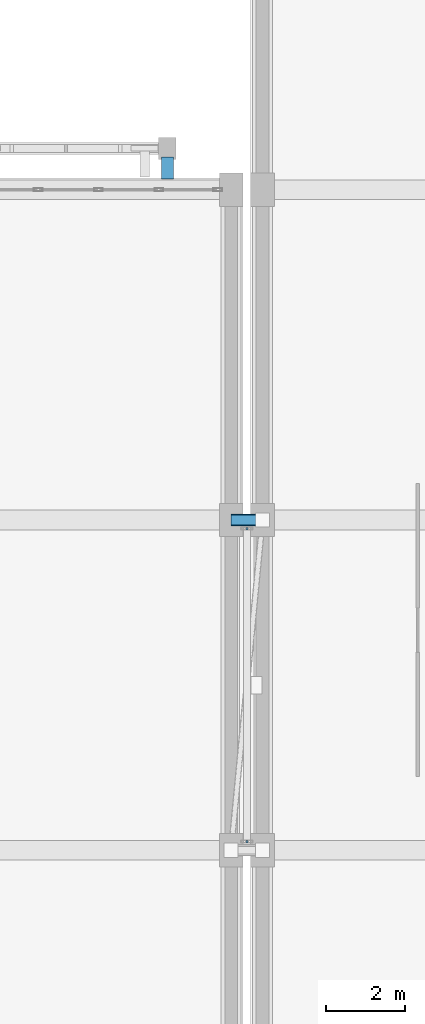
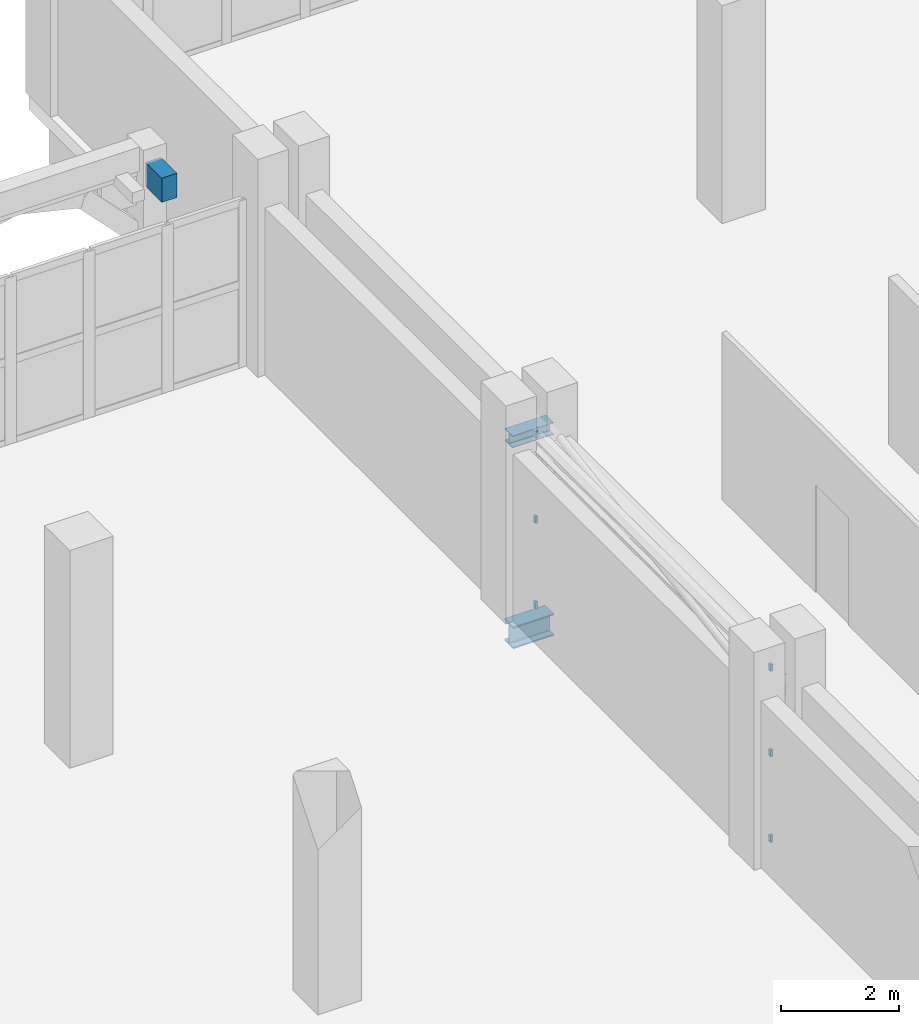
# One storey, part 83 of 137: 6 members, 3 beams, 2 elements without a shape of their own.
"""IFC4 building model written with IfcOpenShell, lengths in metres."""

from ifc_helpers import new_model, si_unit, direction, frame, origin, origin_2d, place, context, subcontext, project, spatial, rectangle, hollow_rectangle, i_section, extrude, material, layer, layer_set, material_profile, profile_set, type_object, element, aggregate, save


model = new_model("IFC4")

# Units and contexts
model_context = context("Model", 3, precision=1e-05, world=origin(), true_north=direction((0.0, 1.0)))
body_context = subcontext(model_context, "Body", "Model", "MODEL_VIEW")
ifc_project = project(units=[si_unit("LENGTHUNIT", "METRE"), si_unit("AREAUNIT", "SQUARE_METRE"), si_unit("VOLUMEUNIT", "CUBIC_METRE"), si_unit("PLANEANGLEUNIT", "RADIAN"), si_unit("MASSUNIT", "GRAM", prefix="KILO")], contexts=[model_context])

# Site, building, storey
site_placement = place(None, origin())
site = spatial("IfcSite", under=ifc_project, at=site_placement, CompositionType="ELEMENT")
building_placement = place(site_placement, origin())
building = spatial("IfcBuilding", under=site, at=building_placement, Name="Xazarin Passage Department Store", CompositionType="ELEMENT")
storey_placement = place(building_placement, frame((0.0, 0.0, 5.39990234375)))
storey = spatial("IfcBuildingStorey", under=building, at=storey_placement, Name="L01", CompositionType="ELEMENT", Elevation=5.39990234375)

# Curtain wall, members
ifc_material_1 = material(Name="Bronze anodised aluminium", Category="aluminium")
ifc_layer = layer(ifc_material_1, 0.14990234375)
ifc_layer_set = layer_set([ifc_layer], Name="Bronze anodised aluminium")
curtain_wall_type = type_object("IfcCurtainWallType", Name="ARC-CW-BRG1", PredefinedType="NOTDEFINED", material=ifc_layer_set)
curtain_wall_1_placement = place(storey_placement, origin())
curtain_wall_1 = element("IfcCurtainWall", 1, at=curtain_wall_1_placement, inside=storey, type_object=curtain_wall_type, Name="L01 BR-V1-V2N Bridge Curtain Wall 1", PredefinedType="NOTDEFINED")
ifc_material_profile_1 = material_profile(ifc_material_1, hollow_rectangle(XDim=0.06494140625, YDim=0.139892578125, WallThickness=0.00390625, at=origin_2d()), Name="ALU 65x140")
ifc_profile_set_1 = profile_set([ifc_material_profile_1], Name="Bronze anodised aluminium")
member_type = type_object("IfcMemberType", Name="ARC-CWT-65x140", PredefinedType="USERDEFINED", material=ifc_profile_set_1)
member_1_placement = place(storey_placement, frame((67.574951171875, 68.219970703125, 0.03271484375), z_axis=(1.0, 0.0, 0.0), x_axis=(0.0, 1.0, 0.0)))
member_1 = element("IfcMember", 2, at=member_1_placement, type_object=member_type, Name="CW7 transom 1.1", ObjectType="TRANSOM", PredefinedType="USERDEFINED", context=body_context, shape_type="SweptSolid", body=[
    extrude(hollow_rectangle(XDim=0.06494140625, YDim=0.139892578125, WallThickness=0.00390625, at=origin_2d()), origin(), (0.0, 0.0, 1.0), 0.050048828125),
])
member_2_placement = place(storey_placement, frame((67.574951171875, 68.219970703125, 1.800048828125), z_axis=(1.0, 0.0, 0.0), x_axis=(0.0, 1.0, 0.0)))
member_2 = element("IfcMember", 3, at=member_2_placement, type_object=member_type, Name="CW7 transom 1.2", ObjectType="TRANSOM", PredefinedType="USERDEFINED", context=body_context, shape_type="SweptSolid", body=[
    extrude(hollow_rectangle(XDim=0.06494140625, YDim=0.139892578125, WallThickness=0.00390625, at=origin_2d()), origin(), (0.0, 0.0, 1.0), 0.050048828125),
])
member_3_placement = place(storey_placement, frame((67.574951171875, 68.219970703125, 3.567626953125), z_axis=(1.0, 0.0, 0.0), x_axis=(0.0, 1.0, 0.0)))
member_3 = element("IfcMember", 4, at=member_3_placement, type_object=member_type, Name="CW7 transom 1.3", ObjectType="TRANSOM", PredefinedType="USERDEFINED", context=body_context, shape_type="SweptSolid", body=[
    extrude(hollow_rectangle(XDim=0.06494140625, YDim=0.139892578125, WallThickness=0.00390625, at=origin_2d()), origin(), (0.0, 0.0, 1.0), 0.050048828125),
])
aggregate(curtain_wall_1, [member_1, member_2, member_3])

curtain_wall_2_placement = place(storey_placement, origin())
curtain_wall_2 = element("IfcCurtainWall", 5, at=curtain_wall_2_placement, inside=storey, type_object=curtain_wall_type, Name="L01 BR-V1-V2N Bridge Curtain Wall 2", PredefinedType="NOTDEFINED")
member_4_placement = place(storey_placement, frame((67.574951171875, 76.179931640625, 0.03271484375), z_axis=(1.0, 0.0, 0.0), x_axis=(0.0, 1.0, 0.0)))
member_4 = element("IfcMember", 6, at=member_4_placement, type_object=member_type, Name="CW7 transom 1.1", ObjectType="TRANSOM", PredefinedType="USERDEFINED", context=body_context, shape_type="SweptSolid", body=[
    extrude(hollow_rectangle(XDim=0.06494140625, YDim=0.139892578125, WallThickness=0.00390625, at=origin_2d()), origin(), (0.0, 0.0, 1.0), 0.050048828125),
])
member_5_placement = place(storey_placement, frame((67.574951171875, 76.179931640625, 1.800048828125), z_axis=(1.0, 0.0, 0.0), x_axis=(0.0, 1.0, 0.0)))
member_5 = element("IfcMember", 7, at=member_5_placement, type_object=member_type, Name="CW7 transom 1.2", ObjectType="TRANSOM", PredefinedType="USERDEFINED", context=body_context, shape_type="SweptSolid", body=[
    extrude(hollow_rectangle(XDim=0.06494140625, YDim=0.139892578125, WallThickness=0.00390625, at=origin_2d()), origin(), (0.0, 0.0, 1.0), 0.050048828125),
])
member_6_placement = place(storey_placement, frame((67.574951171875, 76.179931640625, 3.567626953125), z_axis=(1.0, 0.0, 0.0), x_axis=(0.0, 1.0, 0.0)))
member_6 = element("IfcMember", 8, at=member_6_placement, type_object=member_type, Name="CW7 transom 1.3", ObjectType="TRANSOM", PredefinedType="USERDEFINED", context=body_context, shape_type="SweptSolid", body=[
    extrude(hollow_rectangle(XDim=0.06494140625, YDim=0.139892578125, WallThickness=0.00390625, at=origin_2d()), origin(), (0.0, 0.0, 1.0), 0.050048828125),
])
aggregate(curtain_wall_2, [member_4, member_5, member_6])

# Beams
ifc_material_2 = material(Name="Steel S355", Category="steel")
ifc_material_profile_2 = material_profile(ifc_material_2, i_section(OverallWidth=0.300048828125, OverallDepth=0.449951171875, WebThickness=0.013916015625, FlangeThickness=0.02587890625, FilletRadius=0.027099609375, at=origin_2d()), Name="HEB 450")
ifc_profile_set_2 = profile_set([ifc_material_profile_2], Name="Steel S355")
beam_type_1 = type_object("IfcBeamType", Name="STR-BM-BR450", PredefinedType="BEAM", material=ifc_profile_set_2)
beam_1_placement = place(storey_placement, frame((67.199951171875, 76.39990234375, -0.56494140625), z_axis=(1.0, 0.0, 0.0), x_axis=(0.0, 1.0, 0.0)))
element("IfcBeam", 9, at=beam_1_placement, inside=storey, type_object=beam_type_1, Name="L01 BR-V1-V2N Bridge Girder B", PredefinedType="BEAM", context=body_context, shape_type="SweptSolid", body=[
    extrude(i_section(OverallWidth=0.300048828125, OverallDepth=0.449951171875, WebThickness=0.013916015625, FlangeThickness=0.02587890625, FilletRadius=0.027099609375, at=origin_2d()), origin(), (0.0, 0.0, 1.0), 0.800048828125),
])
ifc_material_profile_3 = material_profile(ifc_material_2, i_section(OverallWidth=0.260009765625, OverallDepth=0.25, WebThickness=0.007568359375, FlangeThickness=0.012451171875, FilletRadius=0.02392578125, at=origin_2d()), Name="HEA 260")
ifc_profile_set_3 = profile_set([ifc_material_profile_3], Name="Steel S355")
beam_type_2 = type_object("IfcBeamType", Name="STR-BM-CAN260", PredefinedType="BEAM", material=ifc_profile_set_3)
beam_2_placement = place(storey_placement, frame((67.199951171875, 76.39990234375, 3.47509765625), z_axis=(1.0, 0.0, 0.0), x_axis=(0.0, 1.0, 0.0)))
element("IfcBeam", 10, at=beam_2_placement, inside=storey, type_object=beam_type_2, Name="L01 BR-V1-V2N Bridge Roof Beam B", PredefinedType="BEAM", context=body_context, shape_type="SweptSolid", body=[
    extrude(i_section(OverallWidth=0.260009765625, OverallDepth=0.25, WebThickness=0.007568359375, FlangeThickness=0.012451171875, FilletRadius=0.02392578125, at=origin_2d()), origin(), (0.0, 0.0, 1.0), 0.800048828125),
])
ifc_material_3 = material(Name="Concrete C35/45", Category="concrete")
ifc_material_profile_4 = material_profile(ifc_material_3, rectangle(XDim=0.300048828125, YDim=0.5, at=origin_2d()), Name="RC 300x500")
ifc_profile_set_4 = profile_set([ifc_material_profile_4], Name="Concrete C35/45")
beam_type_3 = type_object("IfcBeamType", Name="STR-BM-LN300x500", PredefinedType="LINTEL", material=ifc_profile_set_4)
beam_3_placement = place(storey_placement, frame((65.580078125, 85.080078125, 3.9501953125), z_axis=(0.0, 1.0, 0.0), x_axis=(-1.0, 0.0, 0.0)))
element("IfcBeam", 11, at=beam_3_placement, inside=storey, type_object=beam_type_3, Name="L01 V1 Colonnade Tie Rib 007R", PredefinedType="LINTEL", context=body_context, shape_type="SweptSolid", body=[
    extrude(rectangle(XDim=0.300048828125, YDim=0.5, at=origin_2d()), origin(), (0.0, 0.0, 1.0), 0.5498046875),
])

save(model, "model.ifc")
